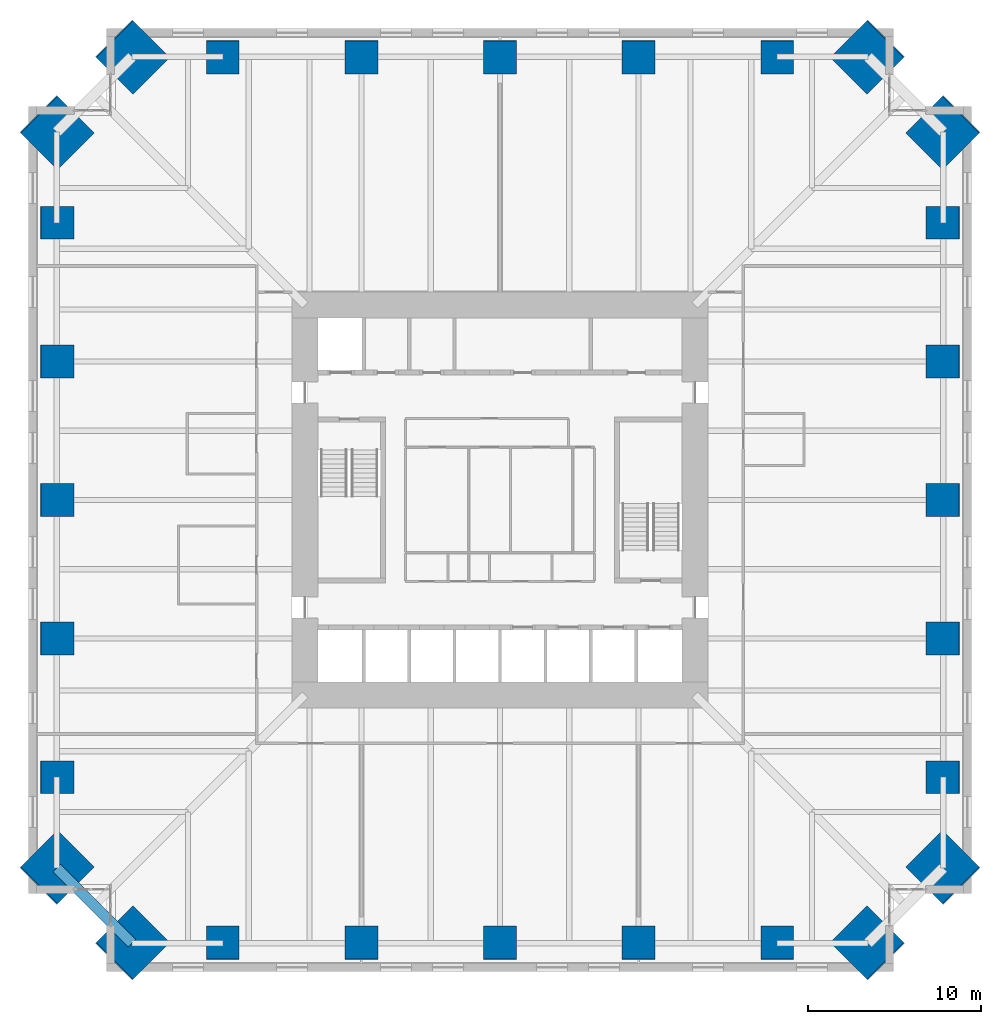
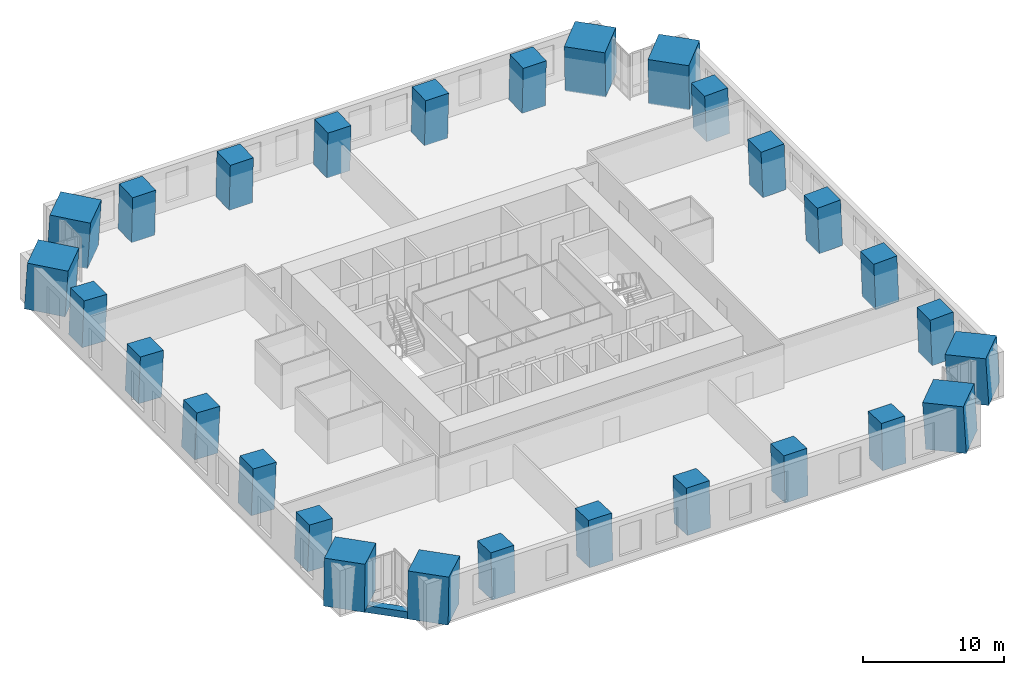
# One storey, part 1 of 16: 28 columns, 1 beam.
"""IFC4 building model written with IfcOpenShell, lengths in metres."""

from ifc_helpers import new_model, si_unit, direction, frame, origin, origin_2d, place, context, subcontext, project, spatial, rectangle, hollow_rectangle, extrude, material, material_profile, profile_set, type_object, element, save


model = new_model("IFC4")

# Units and contexts
model_context = context("Model", 3, precision=1e-05, world=origin(), true_north=direction((0.0, 1.0)))
body_context = subcontext(model_context, "Body", "Model", "MODEL_VIEW")
ifc_project = project(units=[si_unit("LENGTHUNIT", "METRE"), si_unit("AREAUNIT", "SQUARE_METRE"), si_unit("VOLUMEUNIT", "CUBIC_METRE"), si_unit("PLANEANGLEUNIT", "RADIAN"), si_unit("MASSUNIT", "GRAM", prefix="KILO")], contexts=[model_context])

# Site, building, storey
site_placement = place(None, origin())
site = spatial("IfcSite", under=ifc_project, at=site_placement, CompositionType="ELEMENT")
building_placement = place(site_placement, origin())
building = spatial("IfcBuilding", under=site, at=building_placement, Name="Peilmerk Tower", CompositionType="ELEMENT")
storey_placement = place(building_placement, frame((0.0, 0.0, 131.800048828125)))
storey = spatial("IfcBuildingStorey", under=building, at=storey_placement, Name="L26", CompositionType="ELEMENT", Elevation=131.800048828125)

# Columns
ifc_material_1 = material(Name="Concrete C90/105", Category="concrete")
ifc_material_profile_1 = material_profile(ifc_material_1, rectangle(XDim=3.0, YDim=3.0, at=origin_2d()), Name="RC 3000x3000")
ifc_profile_set_1 = profile_set([ifc_material_profile_1], Name="Concrete C90/105")
column_type_1 = type_object("IfcColumnType", Name="MC2 3000x3000 encased mega column", PredefinedType="COLUMN", material=ifc_profile_set_1)
for number, where, z_axis, x_axis, name in (
    (1, (21.232177734375, 25.582275390625, 0.0), (-0.040217894151, -0.040278830354, 0.998378754189), (0.707641859868, -0.706571297296, 0.0), "Mega column MC2 NE_N L26"),
    (2, (25.582275390625, 21.232177734375, 0.0), (-0.040278830354, -0.040217894151, 0.998378754189), (0.706571297296, -0.707641859868, 0.0), "Mega column MC2 NE_E L26"),
    (3, (25.582275390625, -21.232177734375, 0.0), (-0.040278830354, 0.040217894151, 0.998378754189), (-0.706571297296, -0.707641859868, 0.0), "Mega column MC2 SE_E L26"),
    (4, (21.232177734375, -25.582275390625, 0.0), (-0.040217894151, 0.040278830354, 0.998378754189), (-0.707641859868, -0.706571297296, 0.0), "Mega column MC2 SE_S L26"),
    (5, (-21.232177734375, -25.582275390625, 0.0), (0.040217894151, 0.040278830354, 0.998378754189), (-0.707641859868, 0.706571297296, 0.0), "Mega column MC2 SW_S L26"),
    (6, (-25.582275390625, -21.232177734375, 0.0), (0.040278830354, 0.040217894151, 0.998378754189), (-0.706571297296, 0.707641859868, 0.0), "Mega column MC2 SW_W L26"),
    (7, (-25.582275390625, 21.232177734375, 0.0), (0.040278830354, -0.040217894151, 0.998378754189), (0.706571297296, 0.707641859868, 0.0), "Mega column MC2 NW_W L26"),
    (8, (-21.232177734375, 25.582275390625, 0.0), (0.040217894151, -0.040278830354, 0.998378754189), (0.707641859868, 0.706571297296, 0.0), "Mega column MC2 NW_N L26"),
):
    element("IfcColumn", number, at=place(storey_placement, frame(where, z_axis=z_axis, x_axis=x_axis)), inside=storey, type_object=column_type_1, Name=name, PredefinedType="COLUMN", context=body_context, shape_type="SweptSolid", body=[
        extrude(rectangle(XDim=3.0, YDim=3.0, at=origin_2d()), origin(), (0.0, 0.0, 1.0), 4.006591796875),
    ])
ifc_material_profile_2 = material_profile(ifc_material_1, rectangle(XDim=1.89990234375, YDim=1.89990234375, at=origin_2d()), Name="RC 1900x1900")
ifc_profile_set_2 = profile_set([ifc_material_profile_2], Name="Concrete C90/105")
column_type_2 = type_object("IfcColumnType", Name="SC5 1900x1900 encased perimeter column", PredefinedType="COLUMN", material=ifc_profile_set_2)
for number, where, z_axis, x_axis, name in (
    (9, (0.0, 25.582275390625, 0.0), (0.0, -0.040311445006, 0.999187163349), (1.0, 0.0, 0.0), "Perimeter column N+0 L26"),
    (10, (8.0, 25.582275390625, 0.0), (0.0, -0.040311445006, 0.999187163349), (1.0, 0.0, 0.0), "Perimeter column N-8 L26"),
    (11, (-8.0, 25.582275390625, 0.0), (0.0, -0.040311445006, 0.999187163349), (1.0, 0.0, 0.0), "Perimeter column N+8 L26"),
    (12, (16.0, 25.582275390625, 0.0), (0.0, -0.040311445006, 0.999187163349), (1.0, 0.0, 0.0), "Perimeter column N-16 L26"),
    (13, (-16.0, 25.582275390625, 0.0), (0.0, -0.040311445006, 0.999187163349), (1.0, 0.0, 0.0), "Perimeter column N+16 L26"),
    (14, (25.582275390625, 0.0, 0.0), (-0.040311445006, 0.0, 0.999187163349), (0.0, -1.0, 0.0), "Perimeter column E+0 L26"),
    (15, (25.582275390625, -8.0, 0.0), (-0.040311445006, 0.0, 0.999187163349), (0.0, -1.0, 0.0), "Perimeter column E-8 L26"),
    (16, (25.582275390625, 8.0, 0.0), (-0.040311445006, 0.0, 0.999187163349), (0.0, -1.0, 0.0), "Perimeter column E+8 L26"),
    (17, (25.582275390625, -16.0, 0.0), (-0.040311445006, 0.0, 0.999187163349), (0.0, -1.0, 0.0), "Perimeter column E-16 L26"),
    (18, (25.582275390625, 16.0, 0.0), (-0.040311445006, 0.0, 0.999187163349), (0.0, -1.0, 0.0), "Perimeter column E+16 L26"),
    (19, (0.0, -25.582275390625, 0.0), (0.0, 0.040311445006, 0.999187163349), (-1.0, 0.0, 0.0), "Perimeter column S+0 L26"),
    (20, (-8.0, -25.582275390625, 0.0), (0.0, 0.040311445006, 0.999187163349), (-1.0, 0.0, 0.0), "Perimeter column S-8 L26"),
    (21, (8.0, -25.582275390625, 0.0), (0.0, 0.040311445006, 0.999187163349), (-1.0, 0.0, 0.0), "Perimeter column S+8 L26"),
    (22, (-16.0, -25.582275390625, 0.0), (0.0, 0.040311445006, 0.999187163349), (-1.0, 0.0, 0.0), "Perimeter column S-16 L26"),
    (23, (16.0, -25.582275390625, 0.0), (0.0, 0.040311445006, 0.999187163349), (-1.0, 0.0, 0.0), "Perimeter column S+16 L26"),
    (24, (-25.582275390625, 0.0, 0.0), (0.040311445006, 0.0, 0.999187163349), (0.0, 1.0, 0.0), "Perimeter column W+0 L26"),
    (25, (-25.582275390625, 8.0, 0.0), (0.040311445006, 0.0, 0.999187163349), (0.0, 1.0, 0.0), "Perimeter column W-8 L26"),
    (26, (-25.582275390625, -8.0, 0.0), (0.040311445006, 0.0, 0.999187163349), (0.0, 1.0, 0.0), "Perimeter column W+8 L26"),
    (27, (-25.582275390625, 16.0, 0.0), (0.040311445006, 0.0, 0.999187163349), (0.0, 1.0, 0.0), "Perimeter column W-16 L26"),
    (28, (-25.582275390625, -16.0, 0.0), (0.040311445006, 0.0, 0.999187163349), (0.0, 1.0, 0.0), "Perimeter column W+16 L26"),
):
    element("IfcColumn", number, at=place(storey_placement, frame(where, z_axis=z_axis, x_axis=x_axis)), inside=storey, type_object=column_type_2, Name=name, PredefinedType="COLUMN", context=body_context, shape_type="SweptSolid", body=[
        extrude(rectangle(XDim=1.89990234375, YDim=1.89990234375, at=origin_2d()), origin(), (0.0, 0.0, 1.0), 4.003173828125),
    ])

# Beam
ifc_material_2 = material(Name="Steel S460", Category="steel")
ifc_material_profile_3 = material_profile(ifc_material_2, hollow_rectangle(XDim=0.60009765625, YDim=0.60009765625, WallThickness=0.06005859375, at=origin_2d()), Name="BOX 600x600x60")
ifc_profile_set_3 = profile_set([ifc_material_profile_3], Name="Steel S460")
beam_type = type_object("IfcBeamType", Name="B20 BOX 600x600x60 notch beam", PredefinedType="SPANDREL", material=ifc_profile_set_3)
beam_placement = place(storey_placement, frame((-21.232177734375, -25.582275390625, -0.469970703125), z_axis=(-0.707106781187, 0.707106781187, 0.0), x_axis=(-0.707106781187, -0.707106781187, 0.0)))
element("IfcBeam", 29, at=beam_placement, inside=storey, type_object=beam_type, Name="Notch beam L26", PredefinedType="SPANDREL", context=body_context, shape_type="SweptSolid", body=[
    extrude(hollow_rectangle(XDim=0.60009765625, YDim=0.60009765625, WallThickness=0.06005859375, at=origin_2d()), origin(), (0.0, 0.0, 1.0), 6.15185546875),
])

save(model, "model.ifc")
